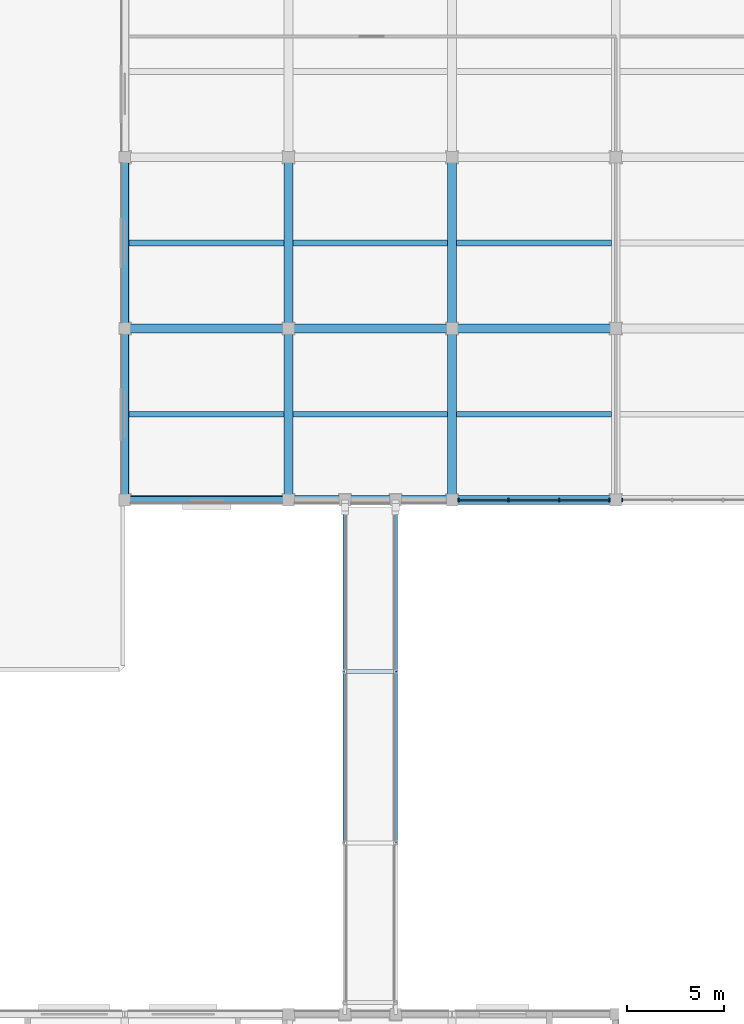
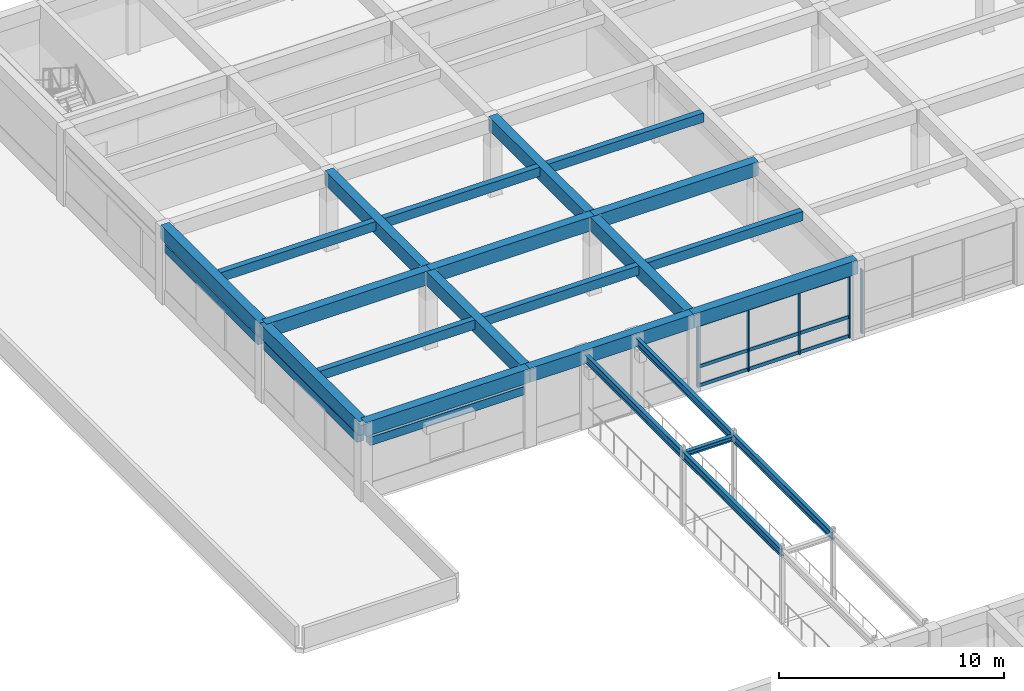
# One storey, part 17 of 57: 26 beams, 14 members, 2 elements without a shape of their own.
"""IFC4 building model written with IfcOpenShell, lengths in metres."""

import ifcopenshell
import ifcopenshell.guid

model = None  # the IFC model being written
_history = None  # IfcOwnerHistory: only IFC2X3 demands one
_inside = {}  # id of a spatial element -> (the spatial element, [elements in it])
_under = {}  # id of a project, library or spatial element -> (it, [spatial elements below it])
_declared = {}  # id of a project -> (the project, [libraries it declares])
_typed = {}  # id of a type object -> (the type object, [elements of that type])
_made_of = {}  # id of a material, layer set ... -> (it, [elements and type objects made of it])


def new_model(schema):
    """Start an empty IFC model of exactly this schema.

    Asked for "IFC4X3", IfcOpenShell would pick the latest addendum, in which some entities
    have other attributes; the version numbers below select the first issue.
    IFC2X3 requires an IfcOwnerHistory on every rooted entity: one is made here for all.
    """
    global model, _history
    if schema == "IFC4X3":
        model = ifcopenshell.file(schema_version=(4, 3, 0, 0))
    else:
        model = ifcopenshell.file(schema=schema)
    _inside.clear()
    _under.clear()
    _declared.clear()
    _typed.clear()
    _made_of.clear()
    _history = None
    if model.schema == "IFC2X3":
        org = make("IfcOrganization", Name="unknown")
        user = make(
            "IfcPersonAndOrganization",
            ThePerson=make("IfcPerson", FamilyName="unknown"),
            TheOrganization=org,
        )
        app = make(
            "IfcApplication",
            ApplicationDeveloper=org,
            Version="unknown",
            ApplicationFullName="unknown",
            ApplicationIdentifier="unknown",
        )
        _history = make(
            "IfcOwnerHistory",
            OwningUser=user,
            OwningApplication=app,
            ChangeAction="ADDED",
            CreationDate=0,
        )
    return model


def make(cls, **values):
    """One entity of the class cls with the attributes given. An attribute that is None is left unset."""
    return model.create_entity(
        cls, **{name: value for name, value in values.items() if value is not None}
    )


def rooted(cls, **values):
    """An entity with a GlobalId (a new one), such as an element, a storey or a relation."""
    return make(cls, GlobalId=ifcopenshell.guid.new(), OwnerHistory=_history, **values)


def si_unit(unit_type, name, prefix=None):
    """IfcSIUnit, for example si_unit("LENGTHUNIT", "METRE", prefix="MILLI")."""
    return make("IfcSIUnit", UnitType=unit_type, Prefix=prefix, Name=name)


def assignment(units):
    """IfcUnitAssignment: the units of a project."""
    return None if units is None else make("IfcUnitAssignment", Units=units)


def point(xyz):
    """IfcCartesianPoint."""
    return None if xyz is None else make("IfcCartesianPoint", Coordinates=xyz)


def direction(xyz):
    """IfcDirection."""
    return None if xyz is None else make("IfcDirection", DirectionRatios=xyz)


def frame(location, z_axis=None, x_axis=None):
    """IfcAxis2Placement3D, a coordinate frame: its origin and axes. An axis left out is left unset."""
    return make(
        "IfcAxis2Placement3D",
        Location=point(location),
        Axis=direction(z_axis),
        RefDirection=direction(x_axis),
    )


def frame_2d(location, x_axis=None):
    """IfcAxis2Placement2D, a coordinate frame in the plane: its origin and x axis."""
    return make(
        "IfcAxis2Placement2D", Location=point(location), RefDirection=direction(x_axis)
    )


def origin():
    """The frame at (0, 0, 0) with its axes left unset."""
    return frame((0.0, 0.0, 0.0))


def origin_2d():
    """The frame at (0, 0) in the plane with its x axis left unset."""
    return frame_2d((0.0, 0.0))


def place(relative_to, where):
    """IfcLocalPlacement: puts the frame where relative to a parent placement (None: the world)."""
    return make(
        "IfcLocalPlacement", PlacementRelTo=relative_to, RelativePlacement=where
    )


def context(
    kind, dimensions, precision=None, world=None, true_north=None, identifier=None
):
    """IfcGeometricRepresentationContext, for example the 3D "Model" context."""
    return make(
        "IfcGeometricRepresentationContext",
        ContextIdentifier=identifier,
        ContextType=kind,
        CoordinateSpaceDimension=dimensions,
        Precision=precision,
        WorldCoordinateSystem=world,
        TrueNorth=true_north,
    )


def subcontext(parent, identifier, kind, view, scale=None):
    """IfcGeometricRepresentationSubContext, for example "Body" below "Model"."""
    return make(
        "IfcGeometricRepresentationSubContext",
        ContextIdentifier=identifier,
        ContextType=kind,
        ParentContext=parent,
        TargetScale=scale,
        TargetView=view,
    )


def project(units=None, contexts=None):
    """IfcProject with its units and contexts."""
    return rooted(
        "IfcProject",
        Name="project",
        RepresentationContexts=contexts,
        UnitsInContext=assignment(units),
    )


def spatial(cls, under=None, at=None, **own):
    """A site, building, storey or space (cls), placed at a placement, below another one or the project."""
    s = rooted(cls, ObjectPlacement=at, **own)
    if under is not None:
        _under.setdefault(under.id(), (under, []))[1].append(s)
    return s


def profile(cls, at=None, kind="AREA", **sizes):
    """A parametric profile (cls). Its sizes go by their IFC names, for example OverallWidth=200.0."""
    return make(cls, ProfileType=kind, Position=at, **sizes)


def rectangle(**sizes):
    """IfcRectangleProfileDef."""
    return profile("IfcRectangleProfileDef", **sizes)


def i_section(**sizes):
    """IfcIShapeProfileDef."""
    return profile("IfcIShapeProfileDef", **sizes)


def extrude(swept, where, along, depth):
    """IfcExtrudedAreaSolid: the profile swept, set in the frame where, extruded along a direction by depth."""
    return make(
        "IfcExtrudedAreaSolid",
        SweptArea=swept,
        Position=where,
        ExtrudedDirection=direction(along),
        Depth=depth,
    )


def shape(context_of_items, identifier, shape_type, items):
    """IfcShapeRepresentation: the items that make up one representation, for example the "Body"."""
    return make(
        "IfcShapeRepresentation",
        ContextOfItems=context_of_items,
        RepresentationIdentifier=identifier,
        RepresentationType=shape_type,
        Items=items,
    )


def material(Name=None, Category=None):
    """IfcMaterial."""
    return make("IfcMaterial", Name=Name, Category=Category)


def material_profile(
    of_material, cross_section, Name=None, Category=None, Priority=None
):
    """IfcMaterialProfile: a cross section and its material."""
    return make(
        "IfcMaterialProfile",
        Name=Name,
        Material=of_material,
        Profile=cross_section,
        Priority=Priority,
        Category=Category,
    )


def profile_set(profiles, Name=None, composite=None):
    """IfcMaterialProfileSet."""
    return make(
        "IfcMaterialProfileSet",
        Name=Name,
        MaterialProfiles=profiles,
        CompositeProfile=composite,
    )


def made_of(thing, what):
    """Note that an element or type object is made of a material, layer set ...; save() writes the relation."""
    if what is not None:
        _made_of.setdefault(what.id(), (what, []))[1].append(thing)
    return thing


def type_object(cls, material=None, **own):
    """A type object (cls), such as IfcWallType, which elements share."""
    return made_of(rooted(cls, **own), material)


def element(
    cls,
    number,
    at=None,
    inside=None,
    cuts=None,
    type_object=None,
    material=None,
    context=None,
    identifier="Body",
    shape_type=None,
    held_by="IfcProductDefinitionShape",
    body=None,
    shapes=None,
    **own,
):
    """One element of the class cls, such as IfcWall. Its Tag is "e" and its number.

    at: its placement. inside: the storey or other place that contains it. cuts: it is an
    opening in that element (IfcRelVoidsElement). A single representation is given by context,
    identifier, shape_type and body (its items); several are given by shapes. held_by: the class
    of the entity that holds the representations. save() writes the other relations.
    """
    e = rooted(cls, Tag="e%d" % number, ObjectPlacement=at, **own)
    if body is not None:
        shapes = [shape(context, identifier, shape_type, body)]
    if shapes is not None:
        e.Representation = make(held_by, Representations=shapes)
    if inside is not None:
        _inside.setdefault(inside.id(), (inside, []))[1].append(e)
    if cuts is not None:
        rooted(
            "IfcRelVoidsElement", RelatingBuildingElement=cuts, RelatedOpeningElement=e
        )
    if type_object is not None:
        _typed.setdefault(type_object.id(), (type_object, []))[1].append(e)
    return made_of(e, material)


def aggregate(whole, parts):
    """IfcRelAggregates: a whole, such as a stair, and the parts it consists of."""
    return rooted("IfcRelAggregates", RelatingObject=whole, RelatedObjects=parts)


def save(model, path):
    """Write the relations noted so far, then the file.

    IfcRelAggregates (storeys below a building ...), IfcRelContainedInSpatialStructure (elements
    in a storey), IfcRelDefinesByType, IfcRelAssociatesMaterial and IfcRelDeclares: one each for
    every whole, place, type object, material and project.
    """
    for whole, parts in _under.values():
        aggregate(whole, parts)
    for where, things in _inside.values():
        rooted(
            "IfcRelContainedInSpatialStructure",
            RelatedElements=things,
            RelatingStructure=where,
        )
    for kind, things in _typed.values():
        rooted("IfcRelDefinesByType", RelatedObjects=things, RelatingType=kind)
    for what, things in _made_of.values():
        rooted("IfcRelAssociatesMaterial", RelatedObjects=things, RelatingMaterial=what)
    for by, libraries in _declared.values():
        rooted("IfcRelDeclares", RelatingContext=by, RelatedDefinitions=libraries)
    model.write(path)


model = new_model("IFC4")

# Units and contexts
model_context = context("Model", 3, precision=1e-05, world=origin(), true_north=direction((0.0, 1.0)))
body_context = subcontext(model_context, "Body", "Model", "MODEL_VIEW")
ifc_project = project(units=[si_unit("LENGTHUNIT", "METRE"), si_unit("AREAUNIT", "SQUARE_METRE"), si_unit("VOLUMEUNIT", "CUBIC_METRE"), si_unit("PLANEANGLEUNIT", "RADIAN"), si_unit("MASSUNIT", "GRAM", prefix="KILO")], contexts=[model_context])

# Site, building, storey
site_placement = place(None, origin())
site = spatial("IfcSite", under=ifc_project, at=site_placement, CompositionType="ELEMENT")
building_placement = place(site_placement, origin())
building = spatial("IfcBuilding", under=site, at=building_placement, Name="Kemercrest Conservatory and Botanical Centre", CompositionType="ELEMENT")
storey_placement = place(building_placement, frame((0.0, 0.0, 4.800048828125)))
storey = spatial("IfcBuildingStorey", under=building, at=storey_placement, Name="L01", CompositionType="ELEMENT", Elevation=4.800048828125)

# Beams
ifc_material_1 = material(Name="Steel CSA G40.21 350W", Category="steel")
ifc_material_profile_1 = material_profile(ifc_material_1, i_section(OverallWidth=0.180908203125, OverallDepth=0.4169921875, WebThickness=0.010986328125, FlangeThickness=0.018310546875, FilletRadius=0.01611328125, at=origin_2d()), Name="W410X85")
ifc_profile_set_1 = profile_set([ifc_material_profile_1], Name="Steel CSA G40.21 350W")
beam_type_1 = type_object("IfcBeamType", Name="BM-LB410", PredefinedType="BEAM", material=ifc_profile_set_1)
for number, where, z_axis, x_axis, name in (
    (1, (27.699951171875, 69.60009765625, 3.761474609375), (0.0, 1.0, 0.0), (-1.0, 0.0, 0.0), "Link bridge girder LB-01 SJ-2"),
    (2, (30.300048828125, 69.60009765625, 3.761474609375), (0.0, 1.0, 0.0), (-1.0, 0.0, 0.0), "Link bridge girder LB-01 SJ-2"),
):
    element("IfcBeam", number, at=place(storey_placement, frame(where, z_axis=z_axis, x_axis=x_axis)), inside=storey, type_object=beam_type_1, Name=name, PredefinedType="BEAM", context=body_context, shape_type="SweptSolid", body=[
        extrude(i_section(OverallWidth=0.180908203125, OverallDepth=0.4169921875, WebThickness=0.010986328125, FlangeThickness=0.018310546875, FilletRadius=0.01611328125, at=origin_2d()), origin(), (0.0, 0.0, 1.0), 8.7998046875),
    ])
for number, where, z_axis, x_axis, name in (
    (3, (27.699951171875, 78.39990234375, 3.761474609375), (0.0, 1.0, 0.0), (-1.0, 0.0, 0.0), "Link bridge girder LB-01 SJ-2"),
    (4, (30.300048828125, 78.39990234375, 3.761474609375), (0.0, 1.0, 0.0), (-1.0, 0.0, 0.0), "Link bridge girder LB-01 SJ-2"),
):
    element("IfcBeam", number, at=place(storey_placement, frame(where, z_axis=z_axis, x_axis=x_axis)), inside=storey, type_object=beam_type_1, Name=name, PredefinedType="BEAM", context=body_context, shape_type="SweptSolid", body=[
        extrude(i_section(OverallWidth=0.180908203125, OverallDepth=0.4169921875, WebThickness=0.010986328125, FlangeThickness=0.018310546875, FilletRadius=0.01611328125, at=origin_2d()), origin(), (0.0, 0.0, 1.0), 8.650146484375),
    ])
ifc_material_2 = material(Name="Concrete C40/50", Category="concrete")
ifc_material_profile_2 = material_profile(ifc_material_2, rectangle(XDim=0.449951171875, YDim=0.75, at=origin_2d()), Name="RC 450x750")
ifc_profile_set_2 = profile_set([ifc_material_profile_2], Name="Concrete C40/50")
beam_type_2 = type_object("IfcBeamType", Name="BM-RC75", PredefinedType="BEAM", material=ifc_profile_set_2)
beam_1_placement = place(storey_placement, frame((16.39990234375, 96.0, 3.824951171875), z_axis=(1.0, 0.0, 0.0), x_axis=(0.0, 1.0, 0.0)))
element("IfcBeam", 5, at=beam_1_placement, inside=storey, type_object=beam_type_2, Name="V3-L02 beam BM-RC75 L/02-03", PredefinedType="BEAM", context=body_context, shape_type="SweptSolid", body=[
    extrude(rectangle(XDim=0.449951171875, YDim=0.75, at=origin_2d()), origin(), (0.0, 0.0, 1.0), 8.400146484375),
])
beam_2_placement = place(storey_placement, frame((24.800048828125, 96.0, 3.824951171875), z_axis=(1.0, 0.0, 0.0), x_axis=(0.0, 1.0, 0.0)))
element("IfcBeam", 6, at=beam_2_placement, inside=storey, type_object=beam_type_2, Name="V3-L02 beam BM-RC75 L/03-04", PredefinedType="BEAM", context=body_context, shape_type="SweptSolid", body=[
    extrude(rectangle(XDim=0.449951171875, YDim=0.75, at=origin_2d()), origin(), (0.0, 0.0, 1.0), 8.39990234375),
])
beam_3_placement = place(storey_placement, frame((33.199951171875, 96.0, 3.824951171875), z_axis=(1.0, 0.0, 0.0), x_axis=(0.0, 1.0, 0.0)))
element("IfcBeam", 7, at=beam_3_placement, inside=storey, type_object=beam_type_2, Name="V3-L02 beam BM-RC75 L/04-05", PredefinedType="BEAM", context=body_context, shape_type="SweptSolid", body=[
    extrude(rectangle(XDim=0.449951171875, YDim=0.75, at=origin_2d()), origin(), (0.0, 0.0, 1.0), 8.400146484375),
])
for number, where, z_axis, x_axis, name in (
    (8, (24.800048828125, 87.199951171875, 3.824951171875), (0.0, 1.0, 0.0), (-1.0, 0.0, 0.0), "V3-L02 beam BM-RC75 03/K-L"),
    (9, (24.800048828125, 96.0, 3.824951171875), (0.0, 1.0, 0.0), (-1.0, 0.0, 0.0), "V3-L02 beam BM-RC75 03/L-M"),
    (10, (33.199951171875, 87.199951171875, 3.824951171875), (0.0, 1.0, 0.0), (-1.0, 0.0, 0.0), "V3-L02 beam BM-RC75 04/K-L"),
    (11, (33.199951171875, 96.0, 3.824951171875), (0.0, 1.0, 0.0), (-1.0, 0.0, 0.0), "V3-L02 beam BM-RC75 04/L-M"),
):
    element("IfcBeam", number, at=place(storey_placement, frame(where, z_axis=z_axis, x_axis=x_axis)), inside=storey, type_object=beam_type_2, Name=name, PredefinedType="BEAM", context=body_context, shape_type="SweptSolid", body=[
        extrude(rectangle(XDim=0.449951171875, YDim=0.75, at=origin_2d()), origin(), (0.0, 0.0, 1.0), 8.800048828125),
    ])

# Curtain wall, members
ifc_material_3 = material(Name="Thermally broken aluminium and triple low-e glazing", Category="aluminium")
curtain_wall_type_1 = type_object("IfcCurtainWallType", Name="CW-03", PredefinedType="USERDEFINED", material=ifc_material_3)
curtain_wall_1_placement = place(storey_placement, origin())
curtain_wall_1 = element("IfcCurtainWall", 12, at=curtain_wall_1_placement, inside=storey, type_object=curtain_wall_type_1, Name="Unitised curtain wall CW-03 (CW:L01:V3-032)", ObjectType="UNITISED CURTAIN WALL", PredefinedType="USERDEFINED")
ifc_material_4 = material(Name="Thermally broken anodized aluminium 6063-T6", Category="aluminium")
ifc_material_profile_3 = material_profile(ifc_material_4, rectangle(XDim=0.199951171875, YDim=0.06494140625, at=origin_2d()), Name="AL MULLION 65x200")
ifc_profile_set_3 = profile_set([ifc_material_profile_3], Name="Thermally broken anodized aluminium 6063-T6")
member_type_1 = type_object("IfcMemberType", Name="CW-M200", PredefinedType="MULLION", material=ifc_profile_set_3)
member_1_placement = place(storey_placement, frame((33.527587890625, 87.199951171875, 0.0), z_axis=(0.0, 0.0, 1.0), x_axis=(0.0, 1.0, 0.0)))
member_1 = element("IfcMember", 13, at=member_1_placement, type_object=member_type_1, Name="CW-03 mullion 1", PredefinedType="MULLION", context=body_context, shape_type="SweptSolid", body=[
    extrude(rectangle(XDim=0.199951171875, YDim=0.06494140625, at=origin_2d()), origin(), (0.0, 0.0, 1.0), 3.454833984375),
])
member_2_placement = place(storey_placement, frame((36.098388671875, 87.199951171875, 0.0), z_axis=(0.0, 0.0, 1.0), x_axis=(0.0, 1.0, 0.0)))
member_2 = element("IfcMember", 14, at=member_2_placement, type_object=member_type_1, Name="CW-03 mullion 2", PredefinedType="MULLION", context=body_context, shape_type="SweptSolid", body=[
    extrude(rectangle(XDim=0.199951171875, YDim=0.06494140625, at=origin_2d()), origin(), (0.0, 0.0, 1.0), 3.454833984375),
])
member_3_placement = place(storey_placement, frame((38.70166015625, 87.199951171875, 0.0), z_axis=(0.0, 0.0, 1.0), x_axis=(0.0, 1.0, 0.0)))
member_3 = element("IfcMember", 15, at=member_3_placement, type_object=member_type_1, Name="CW-03 mullion 3", PredefinedType="MULLION", context=body_context, shape_type="SweptSolid", body=[
    extrude(rectangle(XDim=0.199951171875, YDim=0.06494140625, at=origin_2d()), origin(), (0.0, 0.0, 1.0), 3.454833984375),
])
member_4_placement = place(storey_placement, frame((41.2724609375, 87.199951171875, 0.0), z_axis=(0.0, 0.0, 1.0), x_axis=(0.0, 1.0, 0.0)))
member_4 = element("IfcMember", 16, at=member_4_placement, type_object=member_type_1, Name="CW-03 mullion 4", PredefinedType="MULLION", context=body_context, shape_type="SweptSolid", body=[
    extrude(rectangle(XDim=0.199951171875, YDim=0.06494140625, at=origin_2d()), origin(), (0.0, 0.0, 1.0), 3.454833984375),
])

# Curtain wall, member
curtain_wall_type_2 = type_object("IfcCurtainWallType", Name="CW-04", PredefinedType="USERDEFINED", material=ifc_material_3)
curtain_wall_2_placement = place(storey_placement, origin())
curtain_wall_2 = element("IfcCurtainWall", 17, at=curtain_wall_2_placement, inside=storey, type_object=curtain_wall_type_2, Name="Unitised curtain wall CW-04 (CW:L01:V3-033)", ObjectType="UNITISED CURTAIN WALL", PredefinedType="USERDEFINED")
member_5_placement = place(storey_placement, frame((41.927490234375, 87.199951171875, 0.0), z_axis=(0.0, 0.0, 1.0), x_axis=(0.0, 1.0, 0.0)))
member_5 = element("IfcMember", 18, at=member_5_placement, type_object=member_type_1, Name="CW-04 mullion 1", PredefinedType="MULLION", context=body_context, shape_type="SweptSolid", body=[
    extrude(rectangle(XDim=0.199951171875, YDim=0.06494140625, at=origin_2d()), origin(), (0.0, 0.0, 1.0), 3.454833984375),
])
aggregate(curtain_wall_2, [member_5])

# Member
ifc_material_profile_4 = material_profile(ifc_material_4, rectangle(XDim=0.074951171875, YDim=0.179931640625, at=origin_2d()), Name="AL TRANSOM 75x180")
ifc_profile_set_4 = profile_set([ifc_material_profile_4], Name="Thermally broken anodized aluminium 6063-T6")
member_type_2 = type_object("IfcMemberType", Name="CW-T180", PredefinedType="USERDEFINED", material=ifc_profile_set_4)
member_6_placement = place(storey_placement, frame((33.56005859375, 87.199951171875, 0.08984375), z_axis=(1.0, 0.0, 0.0), x_axis=(0.0, 1.0, 0.0)))
member_6 = element("IfcMember", 19, at=member_6_placement, type_object=member_type_2, Name="CW-03 transom 1.1", ObjectType="TRANSOM", PredefinedType="USERDEFINED", context=body_context, shape_type="SweptSolid", body=[
    extrude(rectangle(XDim=0.074951171875, YDim=0.179931640625, at=origin_2d()), origin(), (0.0, 0.0, 1.0), 2.505859375),
])

member_7_placement = place(storey_placement, frame((33.56005859375, 87.199951171875, 1.119873046875), z_axis=(1.0, 0.0, 0.0), x_axis=(0.0, 1.0, 0.0)))
member_7 = element("IfcMember", 20, at=member_7_placement, type_object=member_type_2, Name="CW-03 transom 1.2", ObjectType="TRANSOM", PredefinedType="USERDEFINED", context=body_context, shape_type="SweptSolid", body=[
    extrude(rectangle(XDim=0.074951171875, YDim=0.179931640625, at=origin_2d()), origin(), (0.0, 0.0, 1.0), 2.505859375),
])

member_8_placement = place(storey_placement, frame((33.56005859375, 87.199951171875, 3.364990234375), z_axis=(1.0, 0.0, 0.0), x_axis=(0.0, 1.0, 0.0)))
member_8 = element("IfcMember", 21, at=member_8_placement, type_object=member_type_2, Name="CW-03 transom 1.3", ObjectType="TRANSOM", PredefinedType="USERDEFINED", context=body_context, shape_type="SweptSolid", body=[
    extrude(rectangle(XDim=0.074951171875, YDim=0.179931640625, at=origin_2d()), origin(), (0.0, 0.0, 1.0), 2.505859375),
])

member_9_placement = place(storey_placement, frame((36.130859375, 87.199951171875, 0.08984375), z_axis=(1.0, 0.0, 0.0), x_axis=(0.0, 1.0, 0.0)))
member_9 = element("IfcMember", 22, at=member_9_placement, type_object=member_type_2, Name="CW-03 transom 2.1", ObjectType="TRANSOM", PredefinedType="USERDEFINED", context=body_context, shape_type="SweptSolid", body=[
    extrude(rectangle(XDim=0.074951171875, YDim=0.179931640625, at=origin_2d()), origin(), (0.0, 0.0, 1.0), 2.538330078125),
])

member_10_placement = place(storey_placement, frame((36.130859375, 87.199951171875, 1.119873046875), z_axis=(1.0, 0.0, 0.0), x_axis=(0.0, 1.0, 0.0)))
member_10 = element("IfcMember", 23, at=member_10_placement, type_object=member_type_2, Name="CW-03 transom 2.2", ObjectType="TRANSOM", PredefinedType="USERDEFINED", context=body_context, shape_type="SweptSolid", body=[
    extrude(rectangle(XDim=0.074951171875, YDim=0.179931640625, at=origin_2d()), origin(), (0.0, 0.0, 1.0), 2.538330078125),
])

member_11_placement = place(storey_placement, frame((36.130859375, 87.199951171875, 3.364990234375), z_axis=(1.0, 0.0, 0.0), x_axis=(0.0, 1.0, 0.0)))
member_11 = element("IfcMember", 24, at=member_11_placement, type_object=member_type_2, Name="CW-03 transom 2.3", ObjectType="TRANSOM", PredefinedType="USERDEFINED", context=body_context, shape_type="SweptSolid", body=[
    extrude(rectangle(XDim=0.074951171875, YDim=0.179931640625, at=origin_2d()), origin(), (0.0, 0.0, 1.0), 2.538330078125),
])

member_12_placement = place(storey_placement, frame((38.734130859375, 87.199951171875, 0.08984375), z_axis=(1.0, 0.0, 0.0), x_axis=(0.0, 1.0, 0.0)))
member_12 = element("IfcMember", 25, at=member_12_placement, type_object=member_type_2, Name="CW-03 transom 3.1", ObjectType="TRANSOM", PredefinedType="USERDEFINED", context=body_context, shape_type="SweptSolid", body=[
    extrude(rectangle(XDim=0.074951171875, YDim=0.179931640625, at=origin_2d()), origin(), (0.0, 0.0, 1.0), 2.505859375),
])

member_13_placement = place(storey_placement, frame((38.734130859375, 87.199951171875, 1.119873046875), z_axis=(1.0, 0.0, 0.0), x_axis=(0.0, 1.0, 0.0)))
member_13 = element("IfcMember", 26, at=member_13_placement, type_object=member_type_2, Name="CW-03 transom 3.2", ObjectType="TRANSOM", PredefinedType="USERDEFINED", context=body_context, shape_type="SweptSolid", body=[
    extrude(rectangle(XDim=0.074951171875, YDim=0.179931640625, at=origin_2d()), origin(), (0.0, 0.0, 1.0), 2.505859375),
])

member_14_placement = place(storey_placement, frame((38.734130859375, 87.199951171875, 3.364990234375), z_axis=(1.0, 0.0, 0.0), x_axis=(0.0, 1.0, 0.0)))
member_14 = element("IfcMember", 27, at=member_14_placement, type_object=member_type_2, Name="CW-03 transom 3.3", ObjectType="TRANSOM", PredefinedType="USERDEFINED", context=body_context, shape_type="SweptSolid", body=[
    extrude(rectangle(XDim=0.074951171875, YDim=0.179931640625, at=origin_2d()), origin(), (0.0, 0.0, 1.0), 2.505859375),
])

aggregate(curtain_wall_1, [member_1, member_2, member_3, member_4, member_6, member_7, member_8, member_9, member_10, member_11, member_12, member_13, member_14])

# Beams
ifc_material_profile_5 = material_profile(ifc_material_2, rectangle(XDim=0.300048828125, YDim=0.5, at=origin_2d()), Name="RC 300x500")
ifc_profile_set_5 = profile_set([ifc_material_profile_5], Name="Concrete C40/50")
beam_type_3 = type_object("IfcBeamType", Name="JS-RC50", PredefinedType="JOIST", material=ifc_profile_set_5)
beam_4_placement = place(storey_placement, frame((16.625, 91.60009765625, 3.949951171875), z_axis=(1.0, 0.0, 0.0), x_axis=(0.0, 1.0, 0.0)))
element("IfcBeam", 28, at=beam_4_placement, inside=storey, type_object=beam_type_3, Name="V3-L02 secondary joist JS-RC50", PredefinedType="JOIST", context=body_context, shape_type="SweptSolid", body=[
    extrude(rectangle(XDim=0.300048828125, YDim=0.5, at=origin_2d()), origin(), (0.0, 0.0, 1.0), 7.949951171875),
])
beam_5_placement = place(storey_placement, frame((25.02490234375, 91.60009765625, 3.949951171875), z_axis=(1.0, 0.0, 0.0), x_axis=(0.0, 1.0, 0.0)))
element("IfcBeam", 29, at=beam_5_placement, inside=storey, type_object=beam_type_3, Name="V3-L02 secondary joist JS-RC50", PredefinedType="JOIST", context=body_context, shape_type="SweptSolid", body=[
    extrude(rectangle(XDim=0.300048828125, YDim=0.5, at=origin_2d()), origin(), (0.0, 0.0, 1.0), 7.9501953125),
])
for number, where, z_axis, x_axis, name in (
    (30, (33.425048828125, 91.60009765625, 3.949951171875), (1.0, 0.0, 0.0), (0.0, 1.0, 0.0), "V3-L02 secondary joist JS-RC50"),
    (31, (16.625, 100.39990234375, 3.949951171875), (1.0, 0.0, 0.0), (0.0, 1.0, 0.0), "V3-L02 secondary joist JS-RC50"),
):
    element("IfcBeam", number, at=place(storey_placement, frame(where, z_axis=z_axis, x_axis=x_axis)), inside=storey, type_object=beam_type_3, Name=name, PredefinedType="JOIST", context=body_context, shape_type="SweptSolid", body=[
        extrude(rectangle(XDim=0.300048828125, YDim=0.5, at=origin_2d()), origin(), (0.0, 0.0, 1.0), 7.949951171875),
    ])
beam_6_placement = place(storey_placement, frame((25.02490234375, 100.39990234375, 3.949951171875), z_axis=(1.0, 0.0, 0.0), x_axis=(0.0, 1.0, 0.0)))
element("IfcBeam", 32, at=beam_6_placement, inside=storey, type_object=beam_type_3, Name="V3-L02 secondary joist JS-RC50", PredefinedType="JOIST", context=body_context, shape_type="SweptSolid", body=[
    extrude(rectangle(XDim=0.300048828125, YDim=0.5, at=origin_2d()), origin(), (0.0, 0.0, 1.0), 7.9501953125),
])
beam_7_placement = place(storey_placement, frame((33.425048828125, 100.39990234375, 3.949951171875), z_axis=(1.0, 0.0, 0.0), x_axis=(0.0, 1.0, 0.0)))
element("IfcBeam", 33, at=beam_7_placement, inside=storey, type_object=beam_type_3, Name="V3-L02 secondary joist JS-RC50", PredefinedType="JOIST", context=body_context, shape_type="SweptSolid", body=[
    extrude(rectangle(XDim=0.300048828125, YDim=0.5, at=origin_2d()), origin(), (0.0, 0.0, 1.0), 7.949951171875),
])
ifc_material_profile_6 = material_profile(ifc_material_1, i_section(OverallWidth=0.202880859375, OverallDepth=0.251953125, WebThickness=0.008056640625, FlangeThickness=0.013427734375, FilletRadius=0.010986328125, at=origin_2d()), Name="W250X58")
ifc_profile_set_6 = profile_set([ifc_material_profile_6], Name="Steel CSA G40.21 350W")
beam_type_4 = type_object("IfcBeamType", Name="JS-W250", PredefinedType="JOIST", material=ifc_profile_set_6)
beam_8_placement = place(storey_placement, frame((27.79052734375, 78.39990234375, 3.761474609375), z_axis=(1.0, 0.0, 0.0), x_axis=(0.0, 1.0, 0.0)))
element("IfcBeam", 34, at=beam_8_placement, inside=storey, type_object=beam_type_4, Name="Link bridge cross beam SJ-2", PredefinedType="JOIST", context=body_context, shape_type="SweptSolid", body=[
    extrude(i_section(OverallWidth=0.202880859375, OverallDepth=0.251953125, WebThickness=0.008056640625, FlangeThickness=0.013427734375, FilletRadius=0.010986328125, at=origin_2d()), origin(), (0.0, 0.0, 1.0), 2.4189453125),
])
ifc_material_5 = material(Name="Precast concrete C40/50", Category="concrete")
ifc_material_profile_7 = material_profile(ifc_material_5, rectangle(XDim=0.35009765625, YDim=0.449951171875, at=origin_2d()), Name="RC 350x450")
ifc_profile_set_7 = profile_set([ifc_material_profile_7], Name="Precast concrete C40/50")
beam_type_5 = type_object("IfcBeamType", Name="LN-RC46", PredefinedType="LINTEL", material=ifc_profile_set_7)
beam_9_placement = place(storey_placement, frame((16.64990234375, 87.199951171875, 3.06494140625), z_axis=(1.0, 0.0, 0.0), x_axis=(0.0, 1.0, 0.0)))
element("IfcBeam", 35, at=beam_9_placement, inside=storey, type_object=beam_type_5, Name="Precast arched window lintel (WIN:L01:EXT-096)", PredefinedType="LINTEL", context=body_context, shape_type="SweptSolid", body=[
    extrude(rectangle(XDim=0.35009765625, YDim=0.449951171875, at=origin_2d()), origin(), (0.0, 0.0, 1.0), 7.900146484375),
])
for number, where, z_axis, x_axis, name in (
    (36, (16.39990234375, 104.550048828125, 3.074951171875), (0.0, -1.0, 0.0), (1.0, 0.0, 0.0), "Precast arched window lintel (WIN:L01:EXT-115)"),
    (37, (16.39990234375, 95.75, 3.125), (0.0, -1.0, 0.0), (1.0, 0.0, 0.0), "Precast arched window lintel (WIN:L01:EXT-116)"),
):
    element("IfcBeam", number, at=place(storey_placement, frame(where, z_axis=z_axis, x_axis=x_axis)), inside=storey, type_object=beam_type_5, Name=name, PredefinedType="LINTEL", context=body_context, shape_type="SweptSolid", body=[
        extrude(rectangle(XDim=0.35009765625, YDim=0.449951171875, at=origin_2d()), origin(), (0.0, 0.0, 1.0), 8.300048828125),
    ])
ifc_material_profile_8 = material_profile(ifc_material_2, rectangle(XDim=0.449951171875, YDim=0.75, at=origin_2d()), Name="RC 450x750")
ifc_profile_set_8 = profile_set([ifc_material_profile_8], Name="Concrete C40/50")
beam_type_6 = type_object("IfcBeamType", Name="SP-RC75", PredefinedType="SPANDREL", material=ifc_profile_set_8)
beam_10_placement = place(storey_placement, frame((16.39990234375, 87.199951171875, 3.824951171875), z_axis=(1.0, 0.0, 0.0), x_axis=(0.0, 1.0, 0.0)))
element("IfcBeam", 38, at=beam_10_placement, inside=storey, type_object=beam_type_6, Name="V3-L02 beam SP-RC75 K/02-03", PredefinedType="SPANDREL", context=body_context, shape_type="SweptSolid", body=[
    extrude(rectangle(XDim=0.449951171875, YDim=0.75, at=origin_2d()), origin(), (0.0, 0.0, 1.0), 8.400146484375),
])
beam_11_placement = place(storey_placement, frame((24.800048828125, 87.199951171875, 3.824951171875), z_axis=(1.0, 0.0, 0.0), x_axis=(0.0, 1.0, 0.0)))
element("IfcBeam", 39, at=beam_11_placement, inside=storey, type_object=beam_type_6, Name="V3-L02 beam SP-RC75 K/03-04", PredefinedType="SPANDREL", context=body_context, shape_type="SweptSolid", body=[
    extrude(rectangle(XDim=0.449951171875, YDim=0.75, at=origin_2d()), origin(), (0.0, 0.0, 1.0), 8.39990234375),
])
beam_12_placement = place(storey_placement, frame((33.199951171875, 87.199951171875, 3.824951171875), z_axis=(1.0, 0.0, 0.0), x_axis=(0.0, 1.0, 0.0)))
element("IfcBeam", 40, at=beam_12_placement, inside=storey, type_object=beam_type_6, Name="V3-L02 beam SP-RC75 K/04-05", PredefinedType="SPANDREL", context=body_context, shape_type="SweptSolid", body=[
    extrude(rectangle(XDim=0.449951171875, YDim=0.75, at=origin_2d()), origin(), (0.0, 0.0, 1.0), 8.400146484375),
])
for number, where, z_axis, x_axis, name in (
    (41, (16.39990234375, 87.199951171875, 3.824951171875), (0.0, 1.0, 0.0), (-1.0, 0.0, 0.0), "V3-L02 beam SP-RC75 02/K-L"),
    (42, (16.39990234375, 96.0, 3.824951171875), (0.0, 1.0, 0.0), (-1.0, 0.0, 0.0), "V3-L02 beam SP-RC75 02/L-M"),
):
    element("IfcBeam", number, at=place(storey_placement, frame(where, z_axis=z_axis, x_axis=x_axis)), inside=storey, type_object=beam_type_6, Name=name, PredefinedType="SPANDREL", context=body_context, shape_type="SweptSolid", body=[
        extrude(rectangle(XDim=0.449951171875, YDim=0.75, at=origin_2d()), origin(), (0.0, 0.0, 1.0), 8.800048828125),
    ])

save(model, "model.ifc")
